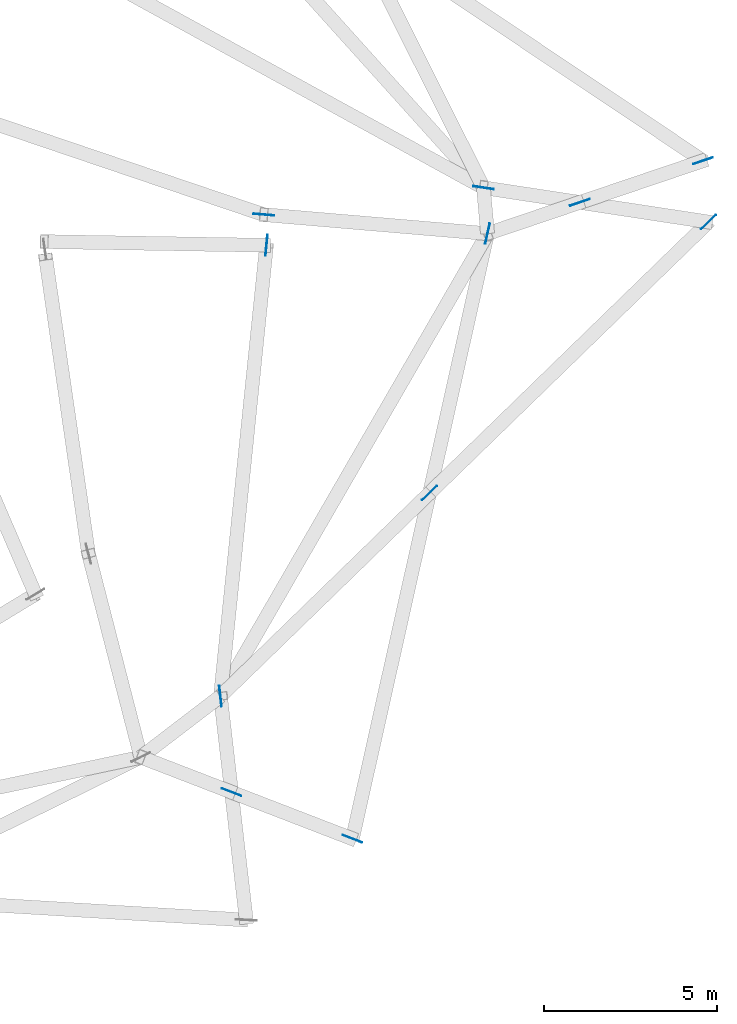
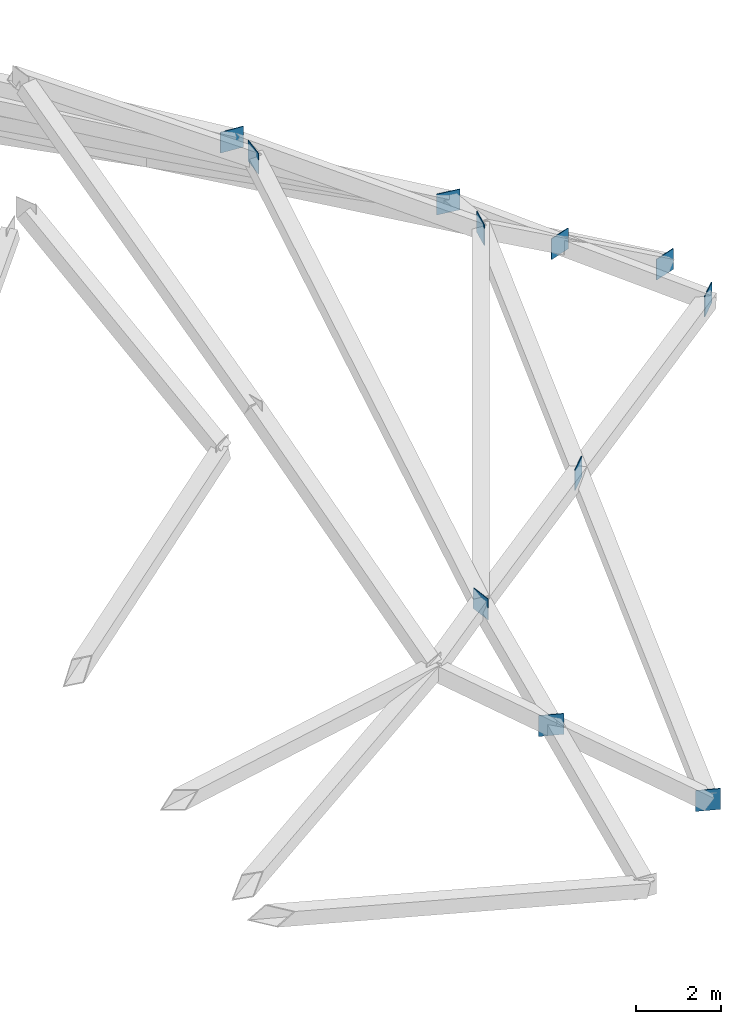
# One storey, part 5 of 6: 11 discrete accessories.
"""IFC4 building model written with IfcOpenShell, lengths in metres."""

from ifc_helpers import new_model, si_unit, direction, frame, origin, origin_2d, place, context, subcontext, project, spatial, rectangle, extrude, material, type_object, element, save


model = new_model("IFC4")

# Units and contexts
model_context = context("Model", 3, precision=1e-05, world=origin(), true_north=direction((0.0, 1.0)))
body_context = subcontext(model_context, "Body", "Model", "MODEL_VIEW")
ifc_project = project(units=[si_unit("LENGTHUNIT", "METRE"), si_unit("AREAUNIT", "SQUARE_METRE"), si_unit("VOLUMEUNIT", "CUBIC_METRE"), si_unit("PLANEANGLEUNIT", "RADIAN"), si_unit("MASSUNIT", "GRAM", prefix="KILO")], contexts=[model_context])

# Site, building, storey
site_placement = place(None, origin())
site = spatial("IfcSite", under=ifc_project, at=site_placement, CompositionType="ELEMENT")
building_placement = place(site_placement, origin())
building = spatial("IfcBuilding", under=site, at=building_placement, Name="Isthmus Gate Tower", CompositionType="ELEMENT")
storey_placement = place(building_placement, frame((0.0, 0.0, 320.10009765625)))
storey = spatial("IfcBuildingStorey", under=building, at=storey_placement, Name="C5", CompositionType="ELEMENT", Elevation=320.10009765625)

# Discrete accessories
ifc_material = material(Name="Structural steel ASTM A992 Gr 50", Category="steel")
discrete_accessory_type = type_object("IfcDiscreteAccessoryType", Name="GUSSET PLATE 600 X 20", PredefinedType="USERDEFINED", material=ifc_material)
for number, where, z_axis, x_axis, name in (
    (1, (11.467041015625, -12.38818359375, -0.300048828125), (0.0, 0.0, 1.0), (-0.114643769092, 0.993406667085, 0.0), "GUSSET PLATE"),
    (2, (15.28955078125, -16.517822265625, -4.800048828125), (0.0, 0.0, 1.0), (-0.932926869178, 0.360065906142, 0.0), "GUSSET PLATE"),
    (3, (11.787841796875, -15.166259765625, -2.228759765625), (0.0, 0.0, 1.0), (-0.932926869178, 0.360065906142, 0.0), "GUSSET PLATE"),
    (4, (19.203125, 1.0107421875, -0.300048828125), (0.0, 0.0, 1.0), (0.21790536763, 0.975969902588, 0.0), "GUSSET PLATE"),
    (5, (25.604248046875, 1.347900390625, -4.800048828125), (0.0, 0.0, 1.0), (-0.717204335316, -0.696862928705, 0.0), "GUSSET PLATE"),
    (6, (17.52587890625, -6.50146484375, -2.228759765625), (0.0, 0.0, 1.0), (-0.717204335316, -0.696862928705, 0.0), "GUSSET PLATE"),
    (7, (19.083740234375, 2.34033203125, -0.300048828125), (0.0, 0.0, 1.0), (-0.988611799297, 0.150488239706, 0.0), "GUSSET PLATE"),
    (8, (25.445068359375, 3.120361328125, -4.800048828125), (0.0, 0.0, 1.0), (-0.947356434693, -0.320180863961, 0.0), "GUSSET PLATE"),
    (9, (21.878173828125, 1.9150390625, -2.228759765625), (0.0, 0.0, 1.0), (-0.947356434693, -0.320180863961, 0.0), "GUSSET PLATE"),
    (10, (12.802001953125, 0.673828125, 4.199951171875), (0.0, 0.0, 1.0), (0.101669850564, 0.994818195193, 0.0), "GUSSET PLATE"),
    (11, (12.72265625, 1.560302734375, 4.199951171875), (0.0, 0.0, 1.0), (-0.996426033029, 0.084469880446, 0.0), "GUSSET PLATE"),
):
    element("IfcDiscreteAccessory", number, at=place(storey_placement, frame(where, z_axis=z_axis, x_axis=x_axis)), inside=storey, type_object=discrete_accessory_type, Name=name, ObjectType="GUSSET PLATE", PredefinedType="USERDEFINED", context=body_context, shape_type="SweptSolid", body=[
        extrude(rectangle(XDim=0.60009765625, YDim=0.02001953125, at=origin_2d()), origin(), (0.0, 0.0, 1.0), 0.60009765625),
    ])

save(model, "model.ifc")
